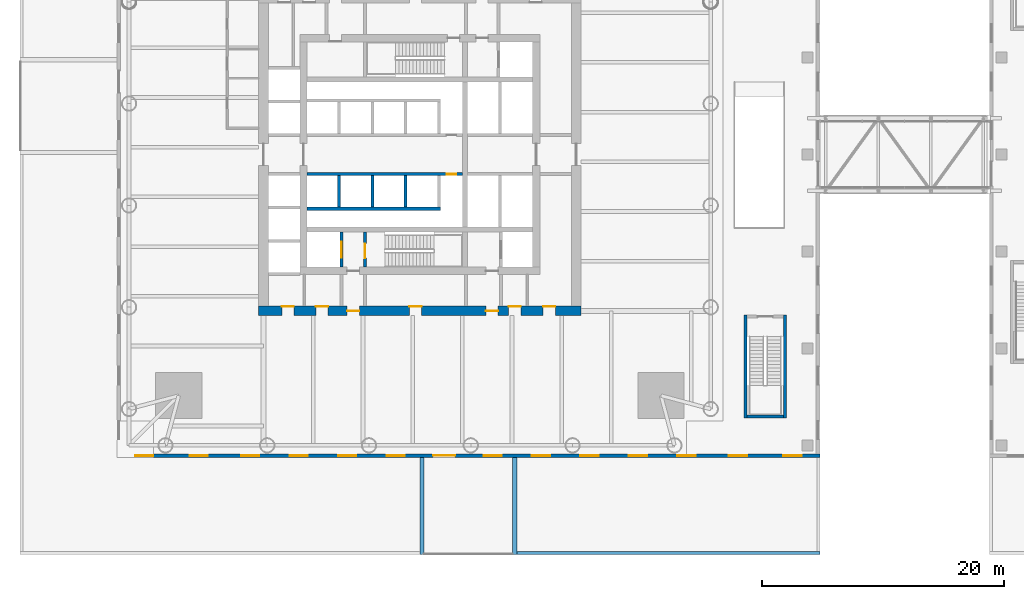
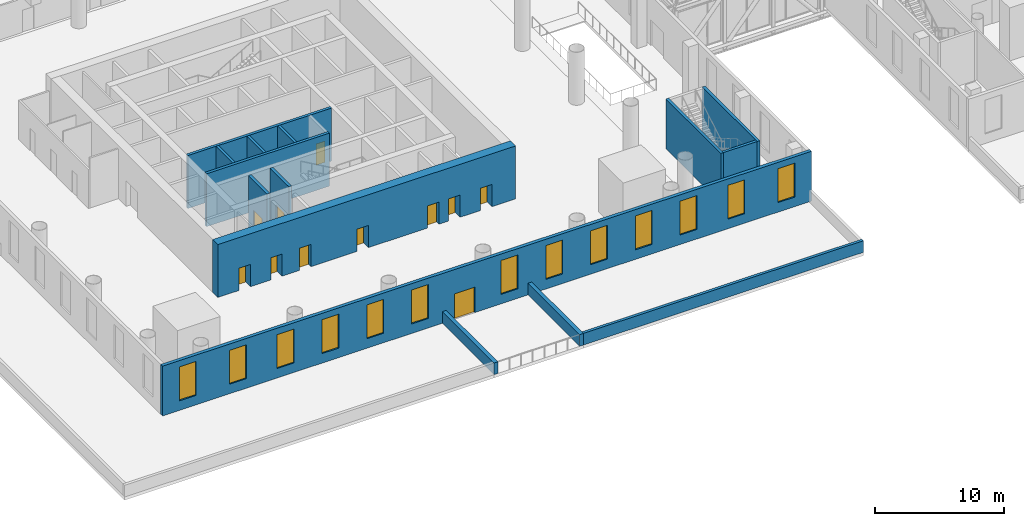
# One storey, part 9 of 23: 15 walls, 13 windows, 11 doors, 24 openings.
"""IFC4 building model written with IfcOpenShell, lengths in metres."""

from ifc_helpers import new_model, si_unit, direction, frame, frame_2d, origin, place, context, subcontext, project, spatial, rectangle, extrude, material, layer, layer_set, type_object, element, fill, save


model = new_model("IFC4")

# Units and contexts
model_context = context("Model", 3, precision=1e-05, world=origin(), true_north=direction((0.0, 1.0)))
body_context = subcontext(model_context, "Body", "Model", "MODEL_VIEW")
ifc_project = project(units=[si_unit("LENGTHUNIT", "METRE"), si_unit("AREAUNIT", "SQUARE_METRE"), si_unit("VOLUMEUNIT", "CUBIC_METRE"), si_unit("PLANEANGLEUNIT", "RADIAN"), si_unit("MASSUNIT", "GRAM", prefix="KILO")], contexts=[model_context])

# Site, building, storey
site_placement = place(None, origin())
site = spatial("IfcSite", under=ifc_project, at=site_placement, CompositionType="ELEMENT")
building_placement = place(site_placement, origin())
building = spatial("IfcBuilding", under=site, at=building_placement, Name="Ostroluk Exchange", CompositionType="ELEMENT")
storey_placement = place(building_placement, frame((0.0, 0.0, 11.0)))
storey = spatial("IfcBuildingStorey", under=building, at=storey_placement, Name="L02", CompositionType="ELEMENT", Elevation=11.0)

# Walls
ifc_material_1 = material(Name="Concrete blockwork", Category="masonry")
ifc_layer_1 = layer(ifc_material_1, 0.25)
ifc_layer_set_1 = layer_set([ifc_layer_1], Name="Blockwork stair enclosure wall 250")
wall_type_1 = type_object("IfcWallType", Name="Blockwork stair enclosure wall 250", PredefinedType="SOLIDWALL", material=ifc_layer_set_1)
for number, where, z_axis, x_axis, name in (
    (1, (71.875, 24.25, 0.0), (0.0, 0.0, 1.0), (0.0, 1.0, 0.0), "Stair PS3 enclosure wall"),
    (2, (75.125, 24.25, 0.0), (0.0, 0.0, 1.0), (0.0, 1.0, 0.0), "Stair PS3 enclosure wall"),
):
    element("IfcWall", number, at=place(storey_placement, frame(where, z_axis=z_axis, x_axis=x_axis)), inside=storey, type_object=wall_type_1, Name=name, PredefinedType="SOLIDWALL", context=body_context, shape_type="SweptSolid", body=[
        extrude(rectangle(XDim=8.5, YDim=0.25, at=frame_2d((4.25, 0.0))), origin(), (0.0, 0.0, 1.0), 4.699951171875),
    ])
wall_1_placement = place(storey_placement, frame((72.0, 24.375, 0.0), z_axis=(0.0, 0.0, 1.0), x_axis=(1.0, 0.0, 0.0)))
element("IfcWall", 3, at=wall_1_placement, inside=storey, type_object=wall_type_1, Name="Stair PS3 enclosure wall", PredefinedType="SOLIDWALL", context=body_context, shape_type="SweptSolid", body=[
    extrude(rectangle(XDim=3.0, YDim=0.25, at=frame_2d((1.5, 0.0))), origin(), (0.0, 0.0, 1.0), 4.699951171875),
])

# Wall, opening, door
ifc_material_2 = material(Name="Concrete C40/50", Category="concrete")
ifc_layer_2 = layer(ifc_material_2, 0.25)
ifc_layer_set_2 = layer_set([ifc_layer_2], Name="Core shaft wall 250")
wall_type_2 = type_object("IfcWallType", Name="Core shaft wall 250", PredefinedType="SHEAR", material=ifc_layer_set_2)
wall_2_placement = place(storey_placement, frame((38.52490234375, 36.699951171875, 0.0), z_axis=(0.0, 0.0, 1.0), x_axis=(0.0, 1.0, 0.0)))
wall_2 = element("IfcWall", 4, at=wall_2_placement, inside=storey, type_object=wall_type_2, Name="Firefighting lift shaft wall", PredefinedType="SHEAR", context=body_context, shape_type="SweptSolid", body=[
    extrude(rectangle(XDim=2.900146484375, YDim=0.25, at=frame_2d((1.4501953125, 0.0))), origin(), (0.0, 0.0, 1.0), 5.0),
])
opening_1_placement = place(wall_2_placement, frame((0.800048828125, 0.0, 0.0)))
opening_1 = element("IfcOpeningElement", 5, at=opening_1_placement, cuts=wall_2, Name="Opening LD2", PredefinedType="OPENING", context=body_context, shape_type="SweptSolid", body=[
    extrude(rectangle(XDim=1.300048828125, YDim=2.199951171875, at=frame_2d((0.64990234375, 1.10009765625))), frame((0.0, 0.135009765625, 0.0), z_axis=(0.0, -1.0, 0.0), x_axis=(1.0, 0.0, 0.0)), (0.0, 0.0, 1.0), 0.27001953125),
])
ifc_material_3 = material(Name="Stainless steel", Category="steel")
door_type_1 = type_object("IfcDoorType", Name="Lift landing door E 60 1300 x 2200", OperationType="DOUBLE_DOOR_SLIDING", PredefinedType="DOOR", material=ifc_material_3)
door_1_placement = place(opening_1_placement, origin())
door_1 = element("IfcDoor", 6, at=door_1_placement, inside=storey, type_object=door_type_1, Name="Lift FL1 landing door", OperationType="DOUBLE_DOOR_SLIDING", OverallHeight=2.199951171875, OverallWidth=1.300048828125, PredefinedType="DOOR", context=body_context, shape_type="SweptSolid", body=[
    extrude(rectangle(XDim=1.300048828125, YDim=2.199951171875, at=frame_2d((0.64990234375, 1.10009765625))), frame((0.0, 0.02490234375, 0.0), z_axis=(0.0, -1.0, 0.0), x_axis=(1.0, 0.0, 0.0)), (0.0, 0.0, 1.0), 0.050048828125),
])
fill(opening_1, door_1)

wall_3_placement = place(storey_placement, frame((40.47509765625, 36.699951171875, 0.0), z_axis=(0.0, 0.0, 1.0), x_axis=(0.0, 1.0, 0.0)))
wall_3 = element("IfcWall", 7, at=wall_3_placement, inside=storey, type_object=wall_type_2, Name="Stair shaft wall", PredefinedType="SHEAR", context=body_context, shape_type="SweptSolid", body=[
    extrude(rectangle(XDim=2.900146484375, YDim=0.25, at=frame_2d((1.4501953125, 0.0))), origin(), (0.0, 0.0, 1.0), 5.0),
])
opening_2_placement = place(wall_3_placement, frame((0.75, 0.0, 0.0)))
opening_2 = element("IfcOpeningElement", 8, at=opening_2_placement, cuts=wall_3, Name="Opening FD60S", PredefinedType="OPENING", context=body_context, shape_type="SweptSolid", body=[
    extrude(rectangle(XDim=1.199951171875, YDim=2.10009765625, at=frame_2d((0.60009765625, 1.050048828125))), frame((0.0, 0.135009765625, 0.0), z_axis=(0.0, -1.0, 0.0), x_axis=(1.0, 0.0, 0.0)), (0.0, 0.0, 1.0), 0.27001953125),
])
ifc_material_4 = material(Name="Steel", Category="steel")
door_type_2 = type_object("IfcDoorType", Name="Stair door EI 60 1200 x 2100", OperationType="SINGLE_SWING_LEFT", PredefinedType="DOOR", material=ifc_material_4)
door_2_placement = place(opening_2_placement, origin())
door_2 = element("IfcDoor", 9, at=door_2_placement, inside=storey, type_object=door_type_2, Name="Stair T1-S1 door", OperationType="SINGLE_SWING_LEFT", OverallHeight=2.10009765625, OverallWidth=1.199951171875, PredefinedType="DOOR", context=body_context, shape_type="SweptSolid", body=[
    extrude(rectangle(XDim=1.199951171875, YDim=2.10009765625, at=frame_2d((0.60009765625, 1.050048828125))), frame((0.0, 0.02490234375, 0.0), z_axis=(0.0, -1.0, 0.0), x_axis=(1.0, 0.0, 0.0)), (0.0, 0.0, 1.0), 0.050048828125),
])
fill(opening_2, door_2)

# Walls
for number, where, z_axis, x_axis, name in (
    (10, (38.324951171875, 44.25, 0.0), (0.0, 0.0, 1.0), (0.0, -1.0, 0.0), "Lift shaft wall"),
    (11, (41.074951171875, 44.25, 0.0), (0.0, 0.0, 1.0), (0.0, -1.0, 0.0), "Lift shaft wall"),
    (12, (43.824951171875, 44.25, 0.0), (0.0, 0.0, 1.0), (0.0, -1.0, 0.0), "Lift shaft wall"),
):
    element("IfcWall", number, at=place(storey_placement, frame(where, z_axis=z_axis, x_axis=x_axis)), inside=storey, type_object=wall_type_2, Name=name, PredefinedType="SHEAR", context=body_context, shape_type="SweptSolid", body=[
        extrude(rectangle(XDim=2.60009765625, YDim=0.25, at=frame_2d((1.300048828125, 0.0))), origin(), (0.0, 0.0, 1.0), 5.0),
    ])
wall_4_placement = place(storey_placement, frame((35.699951171875, 41.52490234375, 0.0), z_axis=(0.0, 0.0, 1.0), x_axis=(1.0, 0.0, 0.0)))
element("IfcWall", 13, at=wall_4_placement, inside=storey, type_object=wall_type_2, Name="Lift shaft wall", PredefinedType="SHEAR", context=body_context, shape_type="SweptSolid", body=[
    extrude(rectangle(XDim=11.0, YDim=0.25, at=frame_2d((5.5, 0.0))), origin(), (0.0, 0.0, 1.0), 5.0),
])

# Wall, opening, door
wall_5_placement = place(storey_placement, frame((35.699951171875, 44.375, 0.0), z_axis=(0.0, 0.0, 1.0), x_axis=(1.0, 0.0, 0.0)))
wall_5 = element("IfcWall", 14, at=wall_5_placement, inside=storey, type_object=wall_type_2, Name="Lift shaft front wall", PredefinedType="SHEAR", context=body_context, shape_type="SweptSolid", body=[
    extrude(rectangle(XDim=12.830078125, YDim=0.25, at=frame_2d((6.4150390625, 0.0))), origin(), (0.0, 0.0, 1.0), 5.0),
])
opening_3_placement = place(wall_5_placement, frame((11.514892578125, 0.0, 0.0)))
opening_3 = element("IfcOpeningElement", 15, at=opening_3_placement, cuts=wall_5, Name="Opening RD60", PredefinedType="OPENING", context=body_context, shape_type="SweptSolid", body=[
    extrude(rectangle(XDim=0.800048828125, YDim=2.0, at=frame_2d((0.39990234375, 1.0))), frame((0.0, 0.135009765625, 0.0), z_axis=(0.0, -1.0, 0.0), x_axis=(1.0, 0.0, 0.0)), (0.0, 0.0, 1.0), 0.27001953125),
])
ifc_material_5 = material(Name="Steel", Category="steel")
door_type_3 = type_object("IfcDoorType", Name="Riser access door EI 60 800 x 2000", OperationType="SINGLE_SWING_LEFT", PredefinedType="DOOR", material=ifc_material_5)
door_3_placement = place(opening_3_placement, origin())
door_3 = element("IfcDoor", 16, at=door_3_placement, inside=storey, type_object=door_type_3, Name="Riser access door", OperationType="SINGLE_SWING_RIGHT", OverallHeight=2.0, OverallWidth=0.800048828125, PredefinedType="DOOR", context=body_context, shape_type="SweptSolid", body=[
    extrude(rectangle(XDim=0.800048828125, YDim=2.0, at=frame_2d((0.39990234375, 1.0))), frame((0.0, 0.02490234375, 0.0), z_axis=(0.0, -1.0, 0.0), x_axis=(1.0, 0.0, 0.0)), (0.0, 0.0, 1.0), 0.050048828125),
])
fill(opening_3, door_3)

# Wall, openings, doors
ifc_material_6 = material(Name="Concrete C50/60", Category="concrete")
ifc_layer_3 = layer(ifc_material_6, 0.800048828125)
ifc_layer_set_3 = layer_set([ifc_layer_3], Name="Core wall 800 C50/60")
wall_type_3 = type_object("IfcWallType", Name="Core wall 800 C50/60", PredefinedType="SHEAR", material=ifc_layer_set_3)
wall_6_placement = place(storey_placement, frame((31.699951171875, 33.10009765625, 0.0), z_axis=(0.0, 0.0, 1.0), x_axis=(1.0, 0.0, 0.0)))
wall_6 = element("IfcWall", 17, at=wall_6_placement, inside=storey, type_object=wall_type_3, Name="T1 core wall RS", PredefinedType="SHEAR", context=body_context, shape_type="SweptSolid", body=[
    extrude(rectangle(XDim=26.60009765625, YDim=0.800048828125, at=frame_2d((13.300048828125, 0.0))), origin(), (0.0, 0.0, 1.0), 5.0),
])
opening_4_placement = place(wall_6_placement, frame((7.300048828125, 0.0, 0.0)))
opening_4 = element("IfcOpeningElement", 18, at=opening_4_placement, cuts=wall_6, Name="Opening FD60", PredefinedType="OPENING", context=body_context, shape_type="SweptSolid", body=[
    extrude(rectangle(XDim=1.0, YDim=2.10009765625, at=frame_2d((0.5, 1.050048828125))), frame((0.0, 0.409912109375, 0.0), z_axis=(0.0, -1.0, 0.0), x_axis=(1.0, 0.0, 0.0)), (0.0, 0.0, 1.0), 0.820068359375),
])
opening_5_placement = place(wall_6_placement, frame((18.75, 0.0, 0.0)))
opening_5 = element("IfcOpeningElement", 19, at=opening_5_placement, cuts=wall_6, Name="Opening FD60", PredefinedType="OPENING", context=body_context, shape_type="SweptSolid", body=[
    extrude(rectangle(XDim=1.0, YDim=2.10009765625, at=frame_2d((0.5, 1.050048828125))), frame((0.0, 0.409912109375, 0.0), z_axis=(0.0, -1.0, 0.0), x_axis=(1.0, 0.0, 0.0)), (0.0, 0.0, 1.0), 0.820068359375),
])
opening_6_placement = place(wall_6_placement, frame((1.89990234375, 0.0, 0.0)))
opening_6 = element("IfcOpeningElement", 20, at=opening_6_placement, cuts=wall_6, Name="Opening FD60", PredefinedType="OPENING", context=body_context, shape_type="SweptSolid", body=[
    extrude(rectangle(XDim=1.0, YDim=2.10009765625, at=frame_2d((0.5, 1.050048828125))), frame((0.0, 0.409912109375, 0.0), z_axis=(0.0, -1.0, 0.0), x_axis=(1.0, 0.0, 0.0)), (0.0, 0.0, 1.0), 0.820068359375),
])
opening_7_placement = place(wall_6_placement, frame((4.72509765625, 0.0, 0.0)))
opening_7 = element("IfcOpeningElement", 21, at=opening_7_placement, cuts=wall_6, Name="Opening FD60", PredefinedType="OPENING", context=body_context, shape_type="SweptSolid", body=[
    extrude(rectangle(XDim=1.0, YDim=2.10009765625, at=frame_2d((0.5, 1.050048828125))), frame((0.0, 0.409912109375, 0.0), z_axis=(0.0, -1.0, 0.0), x_axis=(1.0, 0.0, 0.0)), (0.0, 0.0, 1.0), 0.820068359375),
])
opening_8_placement = place(wall_6_placement, frame((12.43994140625, 0.0, 0.0)))
opening_8 = element("IfcOpeningElement", 22, at=opening_8_placement, cuts=wall_6, Name="Opening FD60", PredefinedType="OPENING", context=body_context, shape_type="SweptSolid", body=[
    extrude(rectangle(XDim=1.0, YDim=2.10009765625, at=frame_2d((0.5, 1.050048828125))), frame((0.0, 0.409912109375, 0.0), z_axis=(0.0, -1.0, 0.0), x_axis=(1.0, 0.0, 0.0)), (0.0, 0.0, 1.0), 0.820068359375),
])
opening_9_placement = place(wall_6_placement, frame((20.6259765625, 0.0, 0.0)))
opening_9 = element("IfcOpeningElement", 23, at=opening_9_placement, cuts=wall_6, Name="Opening FD60", PredefinedType="OPENING", context=body_context, shape_type="SweptSolid", body=[
    extrude(rectangle(XDim=1.0, YDim=2.10009765625, at=frame_2d((0.5, 1.050048828125))), frame((0.0, 0.409912109375, 0.0), z_axis=(0.0, -1.0, 0.0), x_axis=(1.0, 0.0, 0.0)), (0.0, 0.0, 1.0), 0.820068359375),
])
opening_10_placement = place(wall_6_placement, frame((23.47607421875, 0.0, 0.0)))
opening_10 = element("IfcOpeningElement", 24, at=opening_10_placement, cuts=wall_6, Name="Opening FD60", PredefinedType="OPENING", context=body_context, shape_type="SweptSolid", body=[
    extrude(rectangle(XDim=1.0, YDim=2.10009765625, at=frame_2d((0.5, 1.050048828125))), frame((0.0, 0.409912109375, 0.0), z_axis=(0.0, -1.0, 0.0), x_axis=(1.0, 0.0, 0.0)), (0.0, 0.0, 1.0), 0.820068359375),
])
ifc_material_7 = material(Name="Steel", Category="steel")
door_type_4 = type_object("IfcDoorType", Name="Fire door EI 60 1000 x 2100", OperationType="SINGLE_SWING_LEFT", PredefinedType="DOOR", material=ifc_material_7)
door_4_placement = place(opening_4_placement, origin())
door_4 = element("IfcDoor", 25, at=door_4_placement, inside=storey, type_object=door_type_4, Name="Firefighting lobby door", OperationType="SINGLE_SWING_LEFT", OverallHeight=2.10009765625, OverallWidth=1.0, PredefinedType="DOOR", context=body_context, shape_type="SweptSolid", body=[
    extrude(rectangle(XDim=1.0, YDim=2.10009765625, at=frame_2d((0.5, 1.050048828125))), frame((0.0, 0.02490234375, 0.0), z_axis=(0.0, -1.0, 0.0), x_axis=(1.0, 0.0, 0.0)), (0.0, 0.0, 1.0), 0.050048828125),
])
fill(opening_4, door_4)
door_5_placement = place(opening_5_placement, origin())
door_5 = element("IfcDoor", 26, at=door_5_placement, inside=storey, type_object=door_type_4, Name="Service lobby door", OperationType="SINGLE_SWING_RIGHT", OverallHeight=2.10009765625, OverallWidth=1.0, PredefinedType="DOOR", context=body_context, shape_type="SweptSolid", body=[
    extrude(rectangle(XDim=1.0, YDim=2.10009765625, at=frame_2d((0.5, 1.050048828125))), frame((0.0, 0.02490234375, 0.0), z_axis=(0.0, -1.0, 0.0), x_axis=(1.0, 0.0, 0.0)), (0.0, 0.0, 1.0), 0.050048828125),
])
fill(opening_5, door_5)
door_6_placement = place(opening_6_placement, origin())
door_6 = element("IfcDoor", 27, at=door_6_placement, inside=storey, type_object=door_type_4, Name="Comms switch room door", OperationType="SINGLE_SWING_LEFT", OverallHeight=2.10009765625, OverallWidth=1.0, PredefinedType="DOOR", context=body_context, shape_type="SweptSolid", body=[
    extrude(rectangle(XDim=1.0, YDim=2.10009765625, at=frame_2d((0.5, 1.050048828125))), frame((0.0, 0.39013671875, 0.0), z_axis=(0.0, -1.0, 0.0), x_axis=(1.0, 0.0, 0.0)), (0.0, 0.0, 1.0), 0.050048828125),
])
fill(opening_6, door_6)
door_7_placement = place(opening_7_placement, origin())
door_7 = element("IfcDoor", 28, at=door_7_placement, inside=storey, type_object=door_type_4, Name="Electrical switch room door", OperationType="SINGLE_SWING_LEFT", OverallHeight=2.10009765625, OverallWidth=1.0, PredefinedType="DOOR", context=body_context, shape_type="SweptSolid", body=[
    extrude(rectangle(XDim=1.0, YDim=2.10009765625, at=frame_2d((0.5, 1.050048828125))), frame((0.0, 0.39013671875, 0.0), z_axis=(0.0, -1.0, 0.0), x_axis=(1.0, 0.0, 0.0)), (0.0, 0.0, 1.0), 0.050048828125),
])
fill(opening_7, door_7)
door_8_placement = place(opening_8_placement, origin())
door_8 = element("IfcDoor", 29, at=door_8_placement, inside=storey, type_object=door_type_4, Name="Cleaner's store door", OperationType="SINGLE_SWING_LEFT", OverallHeight=2.10009765625, OverallWidth=1.0, PredefinedType="DOOR", context=body_context, shape_type="SweptSolid", body=[
    extrude(rectangle(XDim=1.0, YDim=2.10009765625, at=frame_2d((0.5, 1.050048828125))), frame((0.0, 0.39013671875, 0.0), z_axis=(0.0, -1.0, 0.0), x_axis=(1.0, 0.0, 0.0)), (0.0, 0.0, 1.0), 0.050048828125),
])
fill(opening_8, door_8)
door_9_placement = place(opening_9_placement, origin())
door_9 = element("IfcDoor", 30, at=door_9_placement, inside=storey, type_object=door_type_4, Name="Comms switch room door", OperationType="SINGLE_SWING_RIGHT", OverallHeight=2.10009765625, OverallWidth=1.0, PredefinedType="DOOR", context=body_context, shape_type="SweptSolid", body=[
    extrude(rectangle(XDim=1.0, YDim=2.10009765625, at=frame_2d((0.5, 1.050048828125))), frame((0.0, 0.39013671875, 0.0), z_axis=(0.0, -1.0, 0.0), x_axis=(1.0, 0.0, 0.0)), (0.0, 0.0, 1.0), 0.050048828125),
])
fill(opening_9, door_9)
door_10_placement = place(opening_10_placement, origin())
door_10 = element("IfcDoor", 31, at=door_10_placement, inside=storey, type_object=door_type_4, Name="Electrical switch room door", OperationType="SINGLE_SWING_RIGHT", OverallHeight=2.10009765625, OverallWidth=1.0, PredefinedType="DOOR", context=body_context, shape_type="SweptSolid", body=[
    extrude(rectangle(XDim=1.0, YDim=2.10009765625, at=frame_2d((0.5, 1.050048828125))), frame((0.0, 0.39013671875, 0.0), z_axis=(0.0, -1.0, 0.0), x_axis=(1.0, 0.0, 0.0)), (0.0, 0.0, 1.0), 0.050048828125),
])
fill(opening_10, door_10)

# Wall
ifc_material_8 = material(Name="Limestone", Category="masonry")
ifc_layer_4 = layer(ifc_material_8, 0.25)
ifc_layer_set_4 = layer_set([ifc_layer_4], Name="Green roof parapet 250")
wall_type_4 = type_object("IfcWallType", Name="Green roof parapet 250", PredefinedType="PARAPET", material=ifc_layer_set_4)
wall_7_placement = place(storey_placement, frame((53.010009765625, 13.125, 0.0), z_axis=(0.0, 0.0, 1.0), x_axis=(1.0, 0.0, 0.0)))
element("IfcWall", 32, at=wall_7_placement, inside=storey, type_object=wall_type_4, Name="Green roof parapet L02 1", PredefinedType="PARAPET", context=body_context, shape_type="SweptSolid", body=[
    extrude(rectangle(XDim=24.989990234375, YDim=0.25, at=frame_2d((12.4951171875, 0.0))), origin(), (0.0, 0.0, 1.0), 1.10009765625),
])

# Wall, openings, windows, door
ifc_material_9 = material(Name="Limestone", Category="masonry")
ifc_layer_5 = layer(ifc_material_9, 0.300048828125)
ifc_layer_set_5 = layer_set([ifc_layer_5], Name="Limestone facade wall 300")
wall_type_5 = type_object("IfcWallType", Name="Limestone facade wall 300", PredefinedType="SOLIDWALL", material=ifc_layer_set_5)
wall_8_placement = place(storey_placement, frame((20.0, 21.14990234375, 0.0), z_axis=(0.0, 0.0, 1.0), x_axis=(1.0, 0.0, 0.0)))
wall_8 = element("IfcWall", 33, at=wall_8_placement, inside=storey, type_object=wall_type_5, Name="Podium west S wall L02 1a", PredefinedType="SOLIDWALL", context=body_context, shape_type="SweptSolid", body=[
    extrude(rectangle(XDim=58.0, YDim=0.300048828125, at=frame_2d((29.0, 0.0))), origin(), (0.0, 0.0, 1.0), 4.699951171875),
])
opening_11_placement = place(wall_8_placement, frame((1.5, 0.0, 0.89990234375)))
opening_11 = element("IfcOpeningElement", 34, at=opening_11_placement, cuts=wall_8, Name="Opening WN-L2", PredefinedType="OPENING", context=body_context, shape_type="SweptSolid", body=[
    extrude(rectangle(XDim=1.5, YDim=3.199951171875, at=frame_2d((0.75, 1.60009765625))), frame((0.0, 0.159912109375, 0.0), z_axis=(0.0, -1.0, 0.0), x_axis=(1.0, 0.0, 0.0)), (0.0, 0.0, 1.0), 0.320068359375),
])
opening_12_placement = place(wall_8_placement, frame((6.0, 0.0, 0.89990234375)))
opening_12 = element("IfcOpeningElement", 35, at=opening_12_placement, cuts=wall_8, Name="Opening WN-L2", PredefinedType="OPENING", context=body_context, shape_type="SweptSolid", body=[
    extrude(rectangle(XDim=1.5, YDim=3.199951171875, at=frame_2d((0.75, 1.60009765625))), frame((0.0, 0.159912109375, 0.0), z_axis=(0.0, -1.0, 0.0), x_axis=(1.0, 0.0, 0.0)), (0.0, 0.0, 1.0), 0.320068359375),
])
opening_13_placement = place(wall_8_placement, frame((10.25, 0.0, 0.89990234375)))
opening_13 = element("IfcOpeningElement", 36, at=opening_13_placement, cuts=wall_8, Name="Opening WN-L2", PredefinedType="OPENING", context=body_context, shape_type="SweptSolid", body=[
    extrude(rectangle(XDim=1.5, YDim=3.199951171875, at=frame_2d((0.75, 1.60009765625))), frame((0.0, 0.159912109375, 0.0), z_axis=(0.0, -1.0, 0.0), x_axis=(1.0, 0.0, 0.0)), (0.0, 0.0, 1.0), 0.320068359375),
])
opening_14_placement = place(wall_8_placement, frame((14.25, 0.0, 0.89990234375)))
opening_14 = element("IfcOpeningElement", 37, at=opening_14_placement, cuts=wall_8, Name="Opening WN-L2", PredefinedType="OPENING", context=body_context, shape_type="SweptSolid", body=[
    extrude(rectangle(XDim=1.5, YDim=3.199951171875, at=frame_2d((0.75, 1.60009765625))), frame((0.0, 0.159912109375, 0.0), z_axis=(0.0, -1.0, 0.0), x_axis=(1.0, 0.0, 0.0)), (0.0, 0.0, 1.0), 0.320068359375),
])
opening_15_placement = place(wall_8_placement, frame((18.25, 0.0, 0.89990234375)))
opening_15 = element("IfcOpeningElement", 38, at=opening_15_placement, cuts=wall_8, Name="Opening WN-L2", PredefinedType="OPENING", context=body_context, shape_type="SweptSolid", body=[
    extrude(rectangle(XDim=1.5, YDim=3.199951171875, at=frame_2d((0.75, 1.60009765625))), frame((0.0, 0.159912109375, 0.0), z_axis=(0.0, -1.0, 0.0), x_axis=(1.0, 0.0, 0.0)), (0.0, 0.0, 1.0), 0.320068359375),
])
opening_16_placement = place(wall_8_placement, frame((22.25, 0.0, 0.89990234375)))
opening_16 = element("IfcOpeningElement", 39, at=opening_16_placement, cuts=wall_8, Name="Opening WN-L2", PredefinedType="OPENING", context=body_context, shape_type="SweptSolid", body=[
    extrude(rectangle(XDim=1.5, YDim=3.199951171875, at=frame_2d((0.75, 1.60009765625))), frame((0.0, 0.159912109375, 0.0), z_axis=(0.0, -1.0, 0.0), x_axis=(1.0, 0.0, 0.0)), (0.0, 0.0, 1.0), 0.320068359375),
])
opening_17_placement = place(wall_8_placement, frame((26.10009765625, 0.0, 0.0)))
opening_17 = element("IfcOpeningElement", 40, at=opening_17_placement, cuts=wall_8, Name="Opening D-T1", PredefinedType="OPENING", context=body_context, shape_type="SweptSolid", body=[
    extrude(rectangle(XDim=1.800048828125, YDim=2.39990234375, at=frame_2d((0.89990234375, 1.199951171875))), frame((0.0, 0.159912109375, 0.0), z_axis=(0.0, -1.0, 0.0), x_axis=(1.0, 0.0, 0.0)), (0.0, 0.0, 1.0), 0.320068359375),
])
opening_18_placement = place(wall_8_placement, frame((30.25, 0.0, 0.89990234375)))
opening_18 = element("IfcOpeningElement", 41, at=opening_18_placement, cuts=wall_8, Name="Opening WN-L2", PredefinedType="OPENING", context=body_context, shape_type="SweptSolid", body=[
    extrude(rectangle(XDim=1.5, YDim=3.199951171875, at=frame_2d((0.75, 1.60009765625))), frame((0.0, 0.159912109375, 0.0), z_axis=(0.0, -1.0, 0.0), x_axis=(1.0, 0.0, 0.0)), (0.0, 0.0, 1.0), 0.320068359375),
])
opening_19_placement = place(wall_8_placement, frame((34.25, 0.0, 0.89990234375)))
opening_19 = element("IfcOpeningElement", 42, at=opening_19_placement, cuts=wall_8, Name="Opening WN-L2", PredefinedType="OPENING", context=body_context, shape_type="SweptSolid", body=[
    extrude(rectangle(XDim=1.5, YDim=3.199951171875, at=frame_2d((0.75, 1.60009765625))), frame((0.0, 0.159912109375, 0.0), z_axis=(0.0, -1.0, 0.0), x_axis=(1.0, 0.0, 0.0)), (0.0, 0.0, 1.0), 0.320068359375),
])
opening_20_placement = place(wall_8_placement, frame((38.25, 0.0, 0.89990234375)))
opening_20 = element("IfcOpeningElement", 43, at=opening_20_placement, cuts=wall_8, Name="Opening WN-L2", PredefinedType="OPENING", context=body_context, shape_type="SweptSolid", body=[
    extrude(rectangle(XDim=1.5, YDim=3.199951171875, at=frame_2d((0.75, 1.60009765625))), frame((0.0, 0.159912109375, 0.0), z_axis=(0.0, -1.0, 0.0), x_axis=(1.0, 0.0, 0.0)), (0.0, 0.0, 1.0), 0.320068359375),
])
opening_21_placement = place(wall_8_placement, frame((42.25, 0.0, 0.89990234375)))
opening_21 = element("IfcOpeningElement", 44, at=opening_21_placement, cuts=wall_8, Name="Opening WN-L2", PredefinedType="OPENING", context=body_context, shape_type="SweptSolid", body=[
    extrude(rectangle(XDim=1.5, YDim=3.199951171875, at=frame_2d((0.75, 1.60009765625))), frame((0.0, 0.159912109375, 0.0), z_axis=(0.0, -1.0, 0.0), x_axis=(1.0, 0.0, 0.0)), (0.0, 0.0, 1.0), 0.320068359375),
])
opening_22_placement = place(wall_8_placement, frame((46.25, 0.0, 0.89990234375)))
opening_22 = element("IfcOpeningElement", 45, at=opening_22_placement, cuts=wall_8, Name="Opening WN-L2", PredefinedType="OPENING", context=body_context, shape_type="SweptSolid", body=[
    extrude(rectangle(XDim=1.5, YDim=3.199951171875, at=frame_2d((0.75, 1.60009765625))), frame((0.0, 0.159912109375, 0.0), z_axis=(0.0, -1.0, 0.0), x_axis=(1.0, 0.0, 0.0)), (0.0, 0.0, 1.0), 0.320068359375),
])
opening_23_placement = place(wall_8_placement, frame((50.5, 0.0, 0.89990234375)))
opening_23 = element("IfcOpeningElement", 46, at=opening_23_placement, cuts=wall_8, Name="Opening WN-L2", PredefinedType="OPENING", context=body_context, shape_type="SweptSolid", body=[
    extrude(rectangle(XDim=1.5, YDim=3.199951171875, at=frame_2d((0.75, 1.60009765625))), frame((0.0, 0.159912109375, 0.0), z_axis=(0.0, -1.0, 0.0), x_axis=(1.0, 0.0, 0.0)), (0.0, 0.0, 1.0), 0.320068359375),
])
opening_24_placement = place(wall_8_placement, frame((55.0, 0.0, 0.89990234375)))
opening_24 = element("IfcOpeningElement", 47, at=opening_24_placement, cuts=wall_8, Name="Opening WN-L2", PredefinedType="OPENING", context=body_context, shape_type="SweptSolid", body=[
    extrude(rectangle(XDim=1.5, YDim=3.199951171875, at=frame_2d((0.75, 1.60009765625))), frame((0.0, 0.159912109375, 0.0), z_axis=(0.0, -1.0, 0.0), x_axis=(1.0, 0.0, 0.0)), (0.0, 0.0, 1.0), 0.320068359375),
])
ifc_material_10 = material(Name="Laminated clear glass", Category="glass")
window_type = type_object("IfcWindowType", Name="Podium lancet window 1500 x 3200", PartitioningType="DOUBLE_PANEL_VERTICAL", PredefinedType="WINDOW", material=ifc_material_10)
window_1_placement = place(opening_11_placement, origin())
window_1 = element("IfcWindow", 48, at=window_1_placement, inside=storey, type_object=window_type, Name="Podium west lancet window S L02 1.1", OverallHeight=3.199951171875, OverallWidth=1.5, PartitioningType="SINGLE_PANEL", PredefinedType="WINDOW", context=body_context, shape_type="SweptSolid", body=[
    extrude(rectangle(XDim=1.5, YDim=3.199951171875, at=frame_2d((0.75, 1.60009765625))), frame((0.0, 0.030029296875, 0.0), z_axis=(0.0, -1.0, 0.0), x_axis=(1.0, 0.0, 0.0)), (0.0, 0.0, 1.0), 0.06005859375),
])
fill(opening_11, window_1)
window_2_placement = place(opening_12_placement, origin())
window_2 = element("IfcWindow", 49, at=window_2_placement, inside=storey, type_object=window_type, Name="Podium west lancet window S L02 1.2", OverallHeight=3.199951171875, OverallWidth=1.5, PartitioningType="SINGLE_PANEL", PredefinedType="WINDOW", context=body_context, shape_type="SweptSolid", body=[
    extrude(rectangle(XDim=1.5, YDim=3.199951171875, at=frame_2d((0.75, 1.60009765625))), frame((0.0, 0.030029296875, 0.0), z_axis=(0.0, -1.0, 0.0), x_axis=(1.0, 0.0, 0.0)), (0.0, 0.0, 1.0), 0.06005859375),
])
fill(opening_12, window_2)
window_3_placement = place(opening_13_placement, origin())
window_3 = element("IfcWindow", 50, at=window_3_placement, inside=storey, type_object=window_type, Name="Podium west lancet window S L02 2.1", OverallHeight=3.199951171875, OverallWidth=1.5, PartitioningType="SINGLE_PANEL", PredefinedType="WINDOW", context=body_context, shape_type="SweptSolid", body=[
    extrude(rectangle(XDim=1.5, YDim=3.199951171875, at=frame_2d((0.75, 1.60009765625))), frame((0.0, 0.030029296875, 0.0), z_axis=(0.0, -1.0, 0.0), x_axis=(1.0, 0.0, 0.0)), (0.0, 0.0, 1.0), 0.06005859375),
])
fill(opening_13, window_3)
window_4_placement = place(opening_14_placement, origin())
window_4 = element("IfcWindow", 51, at=window_4_placement, inside=storey, type_object=window_type, Name="Podium west lancet window S L02 2.2", OverallHeight=3.199951171875, OverallWidth=1.5, PartitioningType="SINGLE_PANEL", PredefinedType="WINDOW", context=body_context, shape_type="SweptSolid", body=[
    extrude(rectangle(XDim=1.5, YDim=3.199951171875, at=frame_2d((0.75, 1.60009765625))), frame((0.0, 0.030029296875, 0.0), z_axis=(0.0, -1.0, 0.0), x_axis=(1.0, 0.0, 0.0)), (0.0, 0.0, 1.0), 0.06005859375),
])
fill(opening_14, window_4)
window_5_placement = place(opening_15_placement, origin())
window_5 = element("IfcWindow", 52, at=window_5_placement, inside=storey, type_object=window_type, Name="Podium west lancet window S L02 3.1", OverallHeight=3.199951171875, OverallWidth=1.5, PartitioningType="SINGLE_PANEL", PredefinedType="WINDOW", context=body_context, shape_type="SweptSolid", body=[
    extrude(rectangle(XDim=1.5, YDim=3.199951171875, at=frame_2d((0.75, 1.60009765625))), frame((0.0, 0.030029296875, 0.0), z_axis=(0.0, -1.0, 0.0), x_axis=(1.0, 0.0, 0.0)), (0.0, 0.0, 1.0), 0.06005859375),
])
fill(opening_15, window_5)
window_6_placement = place(opening_16_placement, origin())
window_6 = element("IfcWindow", 53, at=window_6_placement, inside=storey, type_object=window_type, Name="Podium west lancet window S L02 3.2", OverallHeight=3.199951171875, OverallWidth=1.5, PartitioningType="SINGLE_PANEL", PredefinedType="WINDOW", context=body_context, shape_type="SweptSolid", body=[
    extrude(rectangle(XDim=1.5, YDim=3.199951171875, at=frame_2d((0.75, 1.60009765625))), frame((0.0, 0.030029296875, 0.0), z_axis=(0.0, -1.0, 0.0), x_axis=(1.0, 0.0, 0.0)), (0.0, 0.0, 1.0), 0.06005859375),
])
fill(opening_16, window_6)
window_7_placement = place(opening_18_placement, origin())
window_7 = element("IfcWindow", 54, at=window_7_placement, inside=storey, type_object=window_type, Name="Podium west lancet window S L02 4.2", OverallHeight=3.199951171875, OverallWidth=1.5, PartitioningType="SINGLE_PANEL", PredefinedType="WINDOW", context=body_context, shape_type="SweptSolid", body=[
    extrude(rectangle(XDim=1.5, YDim=3.199951171875, at=frame_2d((0.75, 1.60009765625))), frame((0.0, 0.030029296875, 0.0), z_axis=(0.0, -1.0, 0.0), x_axis=(1.0, 0.0, 0.0)), (0.0, 0.0, 1.0), 0.06005859375),
])
fill(opening_18, window_7)
window_8_placement = place(opening_19_placement, origin())
window_8 = element("IfcWindow", 55, at=window_8_placement, inside=storey, type_object=window_type, Name="Podium west lancet window S L02 5.1", OverallHeight=3.199951171875, OverallWidth=1.5, PartitioningType="SINGLE_PANEL", PredefinedType="WINDOW", context=body_context, shape_type="SweptSolid", body=[
    extrude(rectangle(XDim=1.5, YDim=3.199951171875, at=frame_2d((0.75, 1.60009765625))), frame((0.0, 0.030029296875, 0.0), z_axis=(0.0, -1.0, 0.0), x_axis=(1.0, 0.0, 0.0)), (0.0, 0.0, 1.0), 0.06005859375),
])
fill(opening_19, window_8)
window_9_placement = place(opening_20_placement, origin())
window_9 = element("IfcWindow", 56, at=window_9_placement, inside=storey, type_object=window_type, Name="Podium west lancet window S L02 5.2", OverallHeight=3.199951171875, OverallWidth=1.5, PartitioningType="SINGLE_PANEL", PredefinedType="WINDOW", context=body_context, shape_type="SweptSolid", body=[
    extrude(rectangle(XDim=1.5, YDim=3.199951171875, at=frame_2d((0.75, 1.60009765625))), frame((0.0, 0.030029296875, 0.0), z_axis=(0.0, -1.0, 0.0), x_axis=(1.0, 0.0, 0.0)), (0.0, 0.0, 1.0), 0.06005859375),
])
fill(opening_20, window_9)
window_10_placement = place(opening_21_placement, origin())
window_10 = element("IfcWindow", 57, at=window_10_placement, inside=storey, type_object=window_type, Name="Podium west lancet window S L02 6.1", OverallHeight=3.199951171875, OverallWidth=1.5, PartitioningType="SINGLE_PANEL", PredefinedType="WINDOW", context=body_context, shape_type="SweptSolid", body=[
    extrude(rectangle(XDim=1.5, YDim=3.199951171875, at=frame_2d((0.75, 1.60009765625))), frame((0.0, 0.030029296875, 0.0), z_axis=(0.0, -1.0, 0.0), x_axis=(1.0, 0.0, 0.0)), (0.0, 0.0, 1.0), 0.06005859375),
])
fill(opening_21, window_10)
window_11_placement = place(opening_22_placement, origin())
window_11 = element("IfcWindow", 58, at=window_11_placement, inside=storey, type_object=window_type, Name="Podium west lancet window S L02 6.2", OverallHeight=3.199951171875, OverallWidth=1.5, PartitioningType="SINGLE_PANEL", PredefinedType="WINDOW", context=body_context, shape_type="SweptSolid", body=[
    extrude(rectangle(XDim=1.5, YDim=3.199951171875, at=frame_2d((0.75, 1.60009765625))), frame((0.0, 0.030029296875, 0.0), z_axis=(0.0, -1.0, 0.0), x_axis=(1.0, 0.0, 0.0)), (0.0, 0.0, 1.0), 0.06005859375),
])
fill(opening_22, window_11)
window_12_placement = place(opening_23_placement, origin())
window_12 = element("IfcWindow", 59, at=window_12_placement, inside=storey, type_object=window_type, Name="Podium west lancet window S L02 7.1", OverallHeight=3.199951171875, OverallWidth=1.5, PartitioningType="SINGLE_PANEL", PredefinedType="WINDOW", context=body_context, shape_type="SweptSolid", body=[
    extrude(rectangle(XDim=1.5, YDim=3.199951171875, at=frame_2d((0.75, 1.60009765625))), frame((0.0, 0.030029296875, 0.0), z_axis=(0.0, -1.0, 0.0), x_axis=(1.0, 0.0, 0.0)), (0.0, 0.0, 1.0), 0.06005859375),
])
fill(opening_23, window_12)
window_13_placement = place(opening_24_placement, origin())
window_13 = element("IfcWindow", 60, at=window_13_placement, inside=storey, type_object=window_type, Name="Podium west lancet window S L02 7.2", OverallHeight=3.199951171875, OverallWidth=1.5, PartitioningType="SINGLE_PANEL", PredefinedType="WINDOW", context=body_context, shape_type="SweptSolid", body=[
    extrude(rectangle(XDim=1.5, YDim=3.199951171875, at=frame_2d((0.75, 1.60009765625))), frame((0.0, 0.030029296875, 0.0), z_axis=(0.0, -1.0, 0.0), x_axis=(1.0, 0.0, 0.0)), (0.0, 0.0, 1.0), 0.06005859375),
])
fill(opening_24, window_13)
ifc_material_11 = material(Name="Bronze framed glazed door", Category="aluminium")
door_type_5 = type_object("IfcDoorType", Name="Terrace double door 1800 x 2400", OperationType="DOUBLE_DOOR_SINGLE_SWING", PredefinedType="DOOR", material=ifc_material_11)
door_11_placement = place(opening_17_placement, origin())
door_11 = element("IfcDoor", 61, at=door_11_placement, inside=storey, type_object=door_type_5, Name="Podium west terrace door S L02 4", OperationType="DOUBLE_DOOR_SINGLE_SWING", OverallHeight=2.39990234375, OverallWidth=1.800048828125, PredefinedType="DOOR", context=body_context, shape_type="SweptSolid", body=[
    extrude(rectangle(XDim=1.800048828125, YDim=2.39990234375, at=frame_2d((0.89990234375, 1.199951171875))), frame((0.0, 0.02490234375, 0.0), z_axis=(0.0, -1.0, 0.0), x_axis=(1.0, 0.0, 0.0)), (0.0, 0.0, 1.0), 0.050048828125),
])
fill(opening_17, door_11)

# Walls
ifc_material_12 = material(Name="Limestone", Category="masonry")
ifc_layer_6 = layer(ifc_material_12, 0.35009765625)
ifc_layer_set_6 = layer_set([ifc_layer_6], Name="Planter wall 350")
wall_type_6 = type_object("IfcWallType", Name="Planter wall 350", PredefinedType="PARAPET", material=ifc_layer_set_6)
for number, where, z_axis, x_axis, name in (
    (62, (45.175048828125, 13.0, 0.0), (0.0, 0.0, 1.0), (0.0, 1.0, 0.0), "Terrace planter wall L02 1"),
    (63, (52.824951171875, 13.0, 0.0), (0.0, 0.0, 1.0), (0.0, 1.0, 0.0), "Terrace planter wall L02 2"),
):
    element("IfcWall", number, at=place(storey_placement, frame(where, z_axis=z_axis, x_axis=x_axis)), inside=storey, type_object=wall_type_6, Name=name, PredefinedType="PARAPET", context=body_context, shape_type="SweptSolid", body=[
        extrude(rectangle(XDim=8.0, YDim=0.35009765625, at=frame_2d((4.0, 0.0))), origin(), (0.0, 0.0, 1.0), 1.10009765625),
    ])

save(model, "model.ifc")
